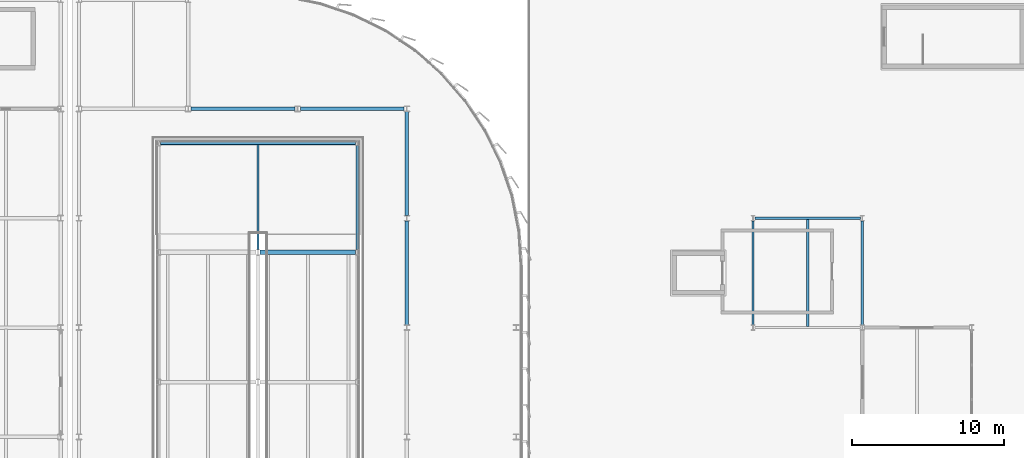
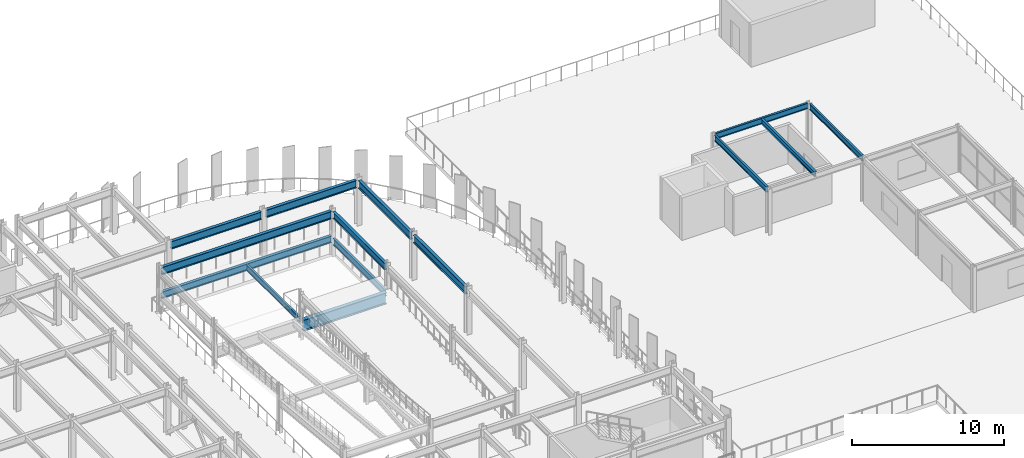
# One storey, part 25 of 52: 14 beams.
"""IFC4 building model written with IfcOpenShell, lengths in metres."""

from ifc_helpers import new_model, si_unit, direction, frame, origin, origin_2d, place, context, subcontext, project, spatial, i_section, extrude, material, material_profile, profile_set, type_object, element, save


model = new_model("IFC4")

# Units and contexts
model_context = context("Model", 3, precision=1e-05, world=origin(), true_north=direction((0.0, 1.0)))
body_context = subcontext(model_context, "Body", "Model", "MODEL_VIEW")
ifc_project = project(units=[si_unit("LENGTHUNIT", "METRE"), si_unit("AREAUNIT", "SQUARE_METRE"), si_unit("VOLUMEUNIT", "CUBIC_METRE"), si_unit("PLANEANGLEUNIT", "RADIAN"), si_unit("MASSUNIT", "GRAM", prefix="KILO")], contexts=[model_context])

# Site, building, storey
site_placement = place(None, origin())
site = spatial("IfcSite", under=ifc_project, at=site_placement, CompositionType="ELEMENT")
building_placement = place(site_placement, origin())
building = spatial("IfcBuilding", under=site, at=building_placement, Name="Vaelcorin Mobility Hub", CompositionType="ELEMENT")
storey_placement = place(building_placement, frame((0.0, 0.0, 13.199951171875)))
storey = spatial("IfcBuildingStorey", under=building, at=storey_placement, Name="L03", CompositionType="ELEMENT", Elevation=13.199951171875)

# Beams
ifc_material = material(Name="Steel ASTM A992 Grade 50", Category="steel")
ifc_material_profile_1 = material_profile(ifc_material, i_section(OverallWidth=0.177978515625, OverallDepth=0.404052734375, WebThickness=0.007568359375, FlangeThickness=0.010986328125, FilletRadius=0.012939453125, at=origin_2d()), Name="W16X36")
ifc_profile_set_1 = profile_set([ifc_material_profile_1], Name="Steel ASTM A992 Grade 50")
beam_type_1 = type_object("IfcBeamType", Name="BM-W16X36", PredefinedType="JOIST", material=ifc_profile_set_1)
beam_1_placement = place(storey_placement, frame((171.60009765625, 98.47412109375, 3.4580078125), z_axis=(0.0, 1.0, 0.0), x_axis=(-1.0, 0.0, 0.0)))
element("IfcBeam", 1, at=beam_1_placement, inside=storey, type_object=beam_type_1, Name="L03 Beam V5LL6-L03-J-01-01-1", PredefinedType="JOIST", context=body_context, shape_type="SweptSolid", body=[
    extrude(i_section(OverallWidth=0.177978515625, OverallDepth=0.404052734375, WebThickness=0.007568359375, FlangeThickness=0.010986328125, FilletRadius=0.012939453125, at=origin_2d()), origin(), (0.0, 0.0, 1.0), 7.0517578125),
])
ifc_material_profile_2 = material_profile(ifc_material, i_section(OverallWidth=0.152099609375, OverallDepth=0.455078125, WebThickness=0.008056640625, FlangeThickness=0.01318359375, FilletRadius=0.012939453125, at=origin_2d()), Name="W18X40")
ifc_profile_set_2 = profile_set([ifc_material_profile_2], Name="Steel ASTM A992 Grade 50")
beam_type_2 = type_object("IfcBeamType", Name="BM-W18X40", PredefinedType="JOIST", material=ifc_profile_set_2)
beam_2_placement = place(storey_placement, frame((168.125, 105.60009765625, 3.43212890625), z_axis=(1.0, 0.0, 0.0), x_axis=(0.0, 1.0, 0.0)))
element("IfcBeam", 2, at=beam_2_placement, inside=storey, type_object=beam_type_2, Name="L03 Beam V5LL6-L03-GX-02-01", PredefinedType="JOIST", context=body_context, shape_type="SweptSolid", body=[
    extrude(i_section(OverallWidth=0.152099609375, OverallDepth=0.455078125, WebThickness=0.008056640625, FlangeThickness=0.01318359375, FilletRadius=0.012939453125, at=origin_2d()), origin(), (0.0, 0.0, 1.0), 6.949951171875),
])
for number, where, z_axis, x_axis, name in (
    (3, (168.0, 98.575927734375, 3.43212890625), (0.0, 1.0, 0.0), (-1.0, 0.0, 0.0), "L03 Beam V5LL6-L03-GY-01-01"),
    (4, (175.199951171875, 98.575927734375, 3.43212890625), (0.0, 1.0, 0.0), (-1.0, 0.0, 0.0), "L03 Beam V5LL6-L03-GY-02-01"),
):
    element("IfcBeam", number, at=place(storey_placement, frame(where, z_axis=z_axis, x_axis=x_axis)), inside=storey, type_object=beam_type_2, Name=name, PredefinedType="JOIST", context=body_context, shape_type="SweptSolid", body=[
        extrude(i_section(OverallWidth=0.152099609375, OverallDepth=0.455078125, WebThickness=0.008056640625, FlangeThickness=0.01318359375, FilletRadius=0.012939453125, at=origin_2d()), origin(), (0.0, 0.0, 1.0), 6.84814453125),
    ])
beam_3_placement = place(storey_placement, frame((135.39990234375, 103.52490234375, 1.442138671875), z_axis=(0.0, 1.0, 0.0), x_axis=(-1.0, 0.0, 0.0)))
element("IfcBeam", 5, at=beam_3_placement, inside=storey, type_object=beam_type_2, Name="Vehicle Ramp VR-2 L03 Landing Mid Joist", PredefinedType="JOIST", context=body_context, shape_type="SweptSolid", body=[
    extrude(i_section(OverallWidth=0.152099609375, OverallDepth=0.455078125, WebThickness=0.008056640625, FlangeThickness=0.01318359375, FilletRadius=0.012939453125, at=origin_2d()), origin(), (0.0, 0.0, 1.0), 6.922119140625),
])
ifc_material_profile_3 = material_profile(ifc_material, i_section(OverallWidth=0.166015625, OverallDepth=0.528076171875, WebThickness=0.009765625, FlangeThickness=0.013671875, FilletRadius=0.013916015625, at=origin_2d()), Name="W21X50")
ifc_profile_set_3 = profile_set([ifc_material_profile_3], Name="Steel ASTM A992 Grade 50")
beam_type_3 = type_object("IfcBeamType", Name="BM-W21X50", PredefinedType="JOIST", material=ifc_profile_set_3)
beam_4_placement = place(storey_placement, frame((141.949951171875, 103.52490234375, 1.254150390625), z_axis=(0.0, 1.0, 0.0), x_axis=(-1.0, 0.0, 0.0)))
element("IfcBeam", 6, at=beam_4_placement, inside=storey, type_object=beam_type_3, Name="Vehicle Ramp VR-2 L03 Landing East Edge Beam", PredefinedType="JOIST", context=body_context, shape_type="SweptSolid", body=[
    extrude(i_section(OverallWidth=0.166015625, OverallDepth=0.528076171875, WebThickness=0.009765625, FlangeThickness=0.013671875, FilletRadius=0.013916015625, at=origin_2d()), origin(), (0.0, 0.0, 1.0), 6.85009765625),
])
ifc_material_profile_4 = material_profile(ifc_material, i_section(OverallWidth=0.2099609375, OverallDepth=0.535888671875, WebThickness=0.010986328125, FlangeThickness=0.017333984375, FilletRadius=0.013916015625, at=origin_2d()), Name="W21X68")
ifc_profile_set_4 = profile_set([ifc_material_profile_4], Name="Steel ASTM A992 Grade 50")
beam_type_4 = type_object("IfcBeamType", Name="BM-W21X68", PredefinedType="SPANDREL", material=ifc_profile_set_4)
beam_5_placement = place(storey_placement, frame((128.97998046875, 110.550048828125, 1.402099609375), z_axis=(1.0, 0.0, 0.0), x_axis=(0.0, 1.0, 0.0)))
element("IfcBeam", 7, at=beam_5_placement, inside=storey, type_object=beam_type_4, Name="Vehicle Ramp VR-2 L03 Landing Back Girder", PredefinedType="SPANDREL", context=body_context, shape_type="SweptSolid", body=[
    extrude(i_section(OverallWidth=0.2099609375, OverallDepth=0.535888671875, WebThickness=0.010986328125, FlangeThickness=0.017333984375, FilletRadius=0.013916015625, at=origin_2d()), origin(), (0.0, 0.0, 1.0), 12.840087890625),
])
beam_6_placement = place(storey_placement, frame((141.949951171875, 103.52490234375, 3.382080078125), z_axis=(0.0, 1.0, 0.0), x_axis=(-1.0, 0.0, 0.0)))
element("IfcBeam", 8, at=beam_6_placement, inside=storey, type_object=beam_type_4, Name="V2E Ramp Top Tie E3", PredefinedType="SPANDREL", context=body_context, shape_type="SweptSolid", body=[
    extrude(i_section(OverallWidth=0.2099609375, OverallDepth=0.535888671875, WebThickness=0.010986328125, FlangeThickness=0.017333984375, FilletRadius=0.013916015625, at=origin_2d()), origin(), (0.0, 0.0, 1.0), 6.85009765625),
])
ifc_material_profile_5 = material_profile(ifc_material, i_section(OverallWidth=0.22900390625, OverallDepth=0.612060546875, WebThickness=0.011962890625, FlangeThickness=0.01953125, FilletRadius=0.014892578125, at=origin_2d()), Name="W24X84")
ifc_profile_set_5 = profile_set([ifc_material_profile_5], Name="Steel ASTM A992 Grade 50")
beam_type_5 = type_object("IfcBeamType", Name="BM-W24X84", PredefinedType="BEAM", material=ifc_profile_set_5)
for number, where, z_axis, x_axis, name in (
    (9, (130.98193359375, 112.800048828125, 3.343994140625), (1.0, 0.0, 0.0), (0.0, 1.0, 0.0), "L03 Beam V2E-L03-GX-06-02"),
    (10, (138.181884765625, 112.800048828125, 3.343994140625), (1.0, 0.0, 0.0), (0.0, 1.0, 0.0), "L03 Beam V2E-L03-GX-06-03"),
):
    element("IfcBeam", number, at=place(storey_placement, frame(where, z_axis=z_axis, x_axis=x_axis)), inside=storey, type_object=beam_type_5, Name=name, PredefinedType="BEAM", context=body_context, shape_type="SweptSolid", body=[
        extrude(i_section(OverallWidth=0.22900390625, OverallDepth=0.612060546875, WebThickness=0.011962890625, FlangeThickness=0.01953125, FilletRadius=0.014892578125, at=origin_2d()), origin(), (0.0, 0.0, 1.0), 6.836181640625),
    ])
for number, where, z_axis, x_axis, name in (
    (11, (145.199951171875, 98.575927734375, 3.343994140625), (0.0, 1.0, 0.0), (-1.0, 0.0, 0.0), "L03 Beam V2E-L03-GY-04-04"),
    (12, (145.199951171875, 105.77587890625, 3.343994140625), (0.0, 1.0, 0.0), (-1.0, 0.0, 0.0), "L03 Beam V2E-L03-GY-04-05"),
):
    element("IfcBeam", number, at=place(storey_placement, frame(where, z_axis=z_axis, x_axis=x_axis)), inside=storey, type_object=beam_type_5, Name=name, PredefinedType="BEAM", context=body_context, shape_type="SweptSolid", body=[
        extrude(i_section(OverallWidth=0.22900390625, OverallDepth=0.612060546875, WebThickness=0.011962890625, FlangeThickness=0.01953125, FilletRadius=0.014892578125, at=origin_2d()), origin(), (0.0, 0.0, 1.0), 6.84814453125),
    ])
beam_7_placement = place(storey_placement, frame((128.97998046875, 110.550048828125, 3.343994140625), z_axis=(1.0, 0.0, 0.0), x_axis=(0.0, 1.0, 0.0)))
element("IfcBeam", 13, at=beam_7_placement, inside=storey, type_object=beam_type_5, Name="V2E Ramp Top Tie Girder BN", PredefinedType="BEAM", context=body_context, shape_type="SweptSolid", body=[
    extrude(i_section(OverallWidth=0.22900390625, OverallDepth=0.612060546875, WebThickness=0.011962890625, FlangeThickness=0.01953125, FilletRadius=0.014892578125, at=origin_2d()), origin(), (0.0, 0.0, 1.0), 12.840087890625),
])
ifc_material_profile_6 = material_profile(ifc_material, i_section(OverallWidth=0.304931640625, OverallDepth=0.9140625, WebThickness=0.0166015625, FlangeThickness=0.02587890625, FilletRadius=0.02001953125, at=origin_2d()), Name="W36X160")
ifc_profile_set_6 = profile_set([ifc_material_profile_6], Name="Steel ASTM A992 Grade 50")
beam_type_6 = type_object("IfcBeamType", Name="BM-W36X160", PredefinedType="BEAM", material=ifc_profile_set_6)
beam_8_placement = place(storey_placement, frame((135.530029296875, 103.35009765625, 1.06103515625), z_axis=(1.0, 0.0, 0.0), x_axis=(0.0, 1.0, 0.0)))
element("IfcBeam", 14, at=beam_8_placement, inside=storey, type_object=beam_type_6, Name="Vehicle Ramp VR-2 L03 Landing Girder NE", PredefinedType="BEAM", context=body_context, shape_type="SweptSolid", body=[
    extrude(i_section(OverallWidth=0.304931640625, OverallDepth=0.9140625, WebThickness=0.0166015625, FlangeThickness=0.02587890625, FilletRadius=0.02001953125, at=origin_2d()), origin(), (0.0, 0.0, 1.0), 6.2900390625),
])

save(model, "model.ifc")
